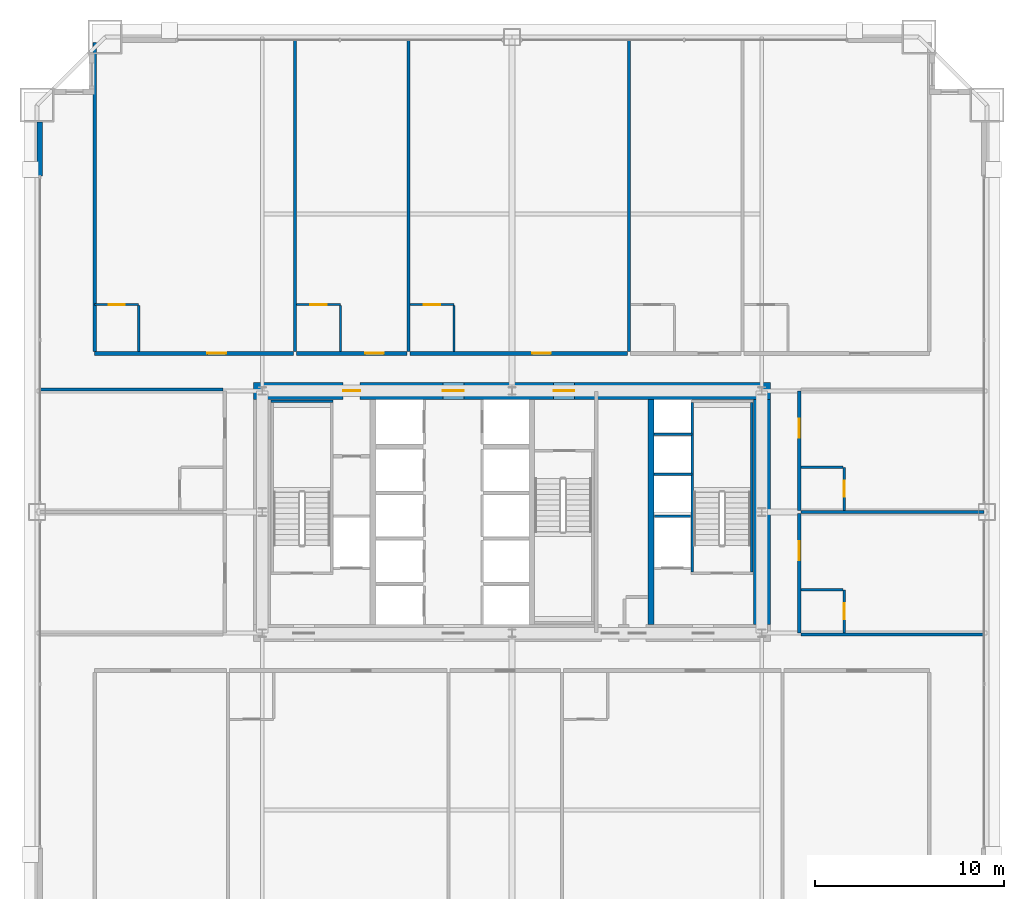
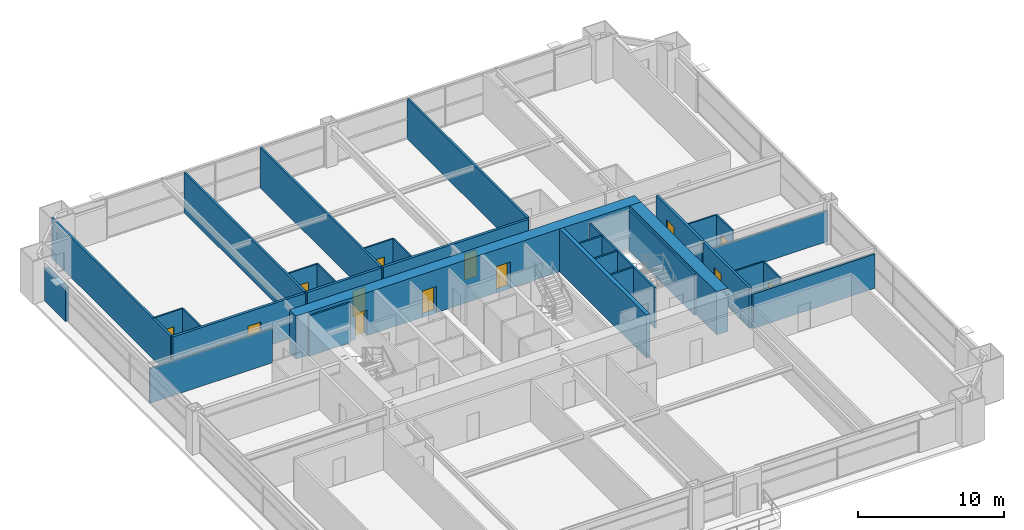
# One storey, part 41 of 43: 32 walls, 13 doors, 13 openings.
"""IFC4 building model written with IfcOpenShell, lengths in metres."""

from ifc_helpers import new_model, si_unit, direction, frame, frame_2d, origin, place, context, subcontext, project, spatial, rectangle, extrude, source, transform, mapped, material, layer, layer_set, type_object, element, fill, save


model = new_model("IFC4")

# Units and contexts
model_context = context("Model", 3, precision=1e-05, world=origin(), true_north=direction((0.0, 1.0)))
body_context = subcontext(model_context, "Body", "Model", "MODEL_VIEW")
ifc_project = project(units=[si_unit("LENGTHUNIT", "METRE"), si_unit("AREAUNIT", "SQUARE_METRE"), si_unit("VOLUMEUNIT", "CUBIC_METRE"), si_unit("PLANEANGLEUNIT", "RADIAN"), si_unit("MASSUNIT", "GRAM", prefix="KILO"), si_unit("THERMODYNAMICTEMPERATUREUNIT", "KELVIN"), si_unit("POWERUNIT", "WATT")], contexts=[model_context])

# Site, building, storey
site_placement = place(None, origin())
site = spatial("IfcSite", under=ifc_project, at=site_placement, CompositionType="ELEMENT")
building_placement = place(site_placement, origin())
building = spatial("IfcBuilding", under=site, at=building_placement, Name="Yuzanri Waterfront Tower", CompositionType="ELEMENT")
storey_placement = place(building_placement, frame((0.0, 0.0, 78.39990234375)))
storey = spatial("IfcBuildingStorey", under=building, at=storey_placement, Name="L20", CompositionType="ELEMENT", Elevation=78.39990234375)

# Wall, opening, door
ifc_material_1 = material(Name="Moisture-Resistant Gypsum Stud Wall", Category="gypsum")
ifc_layer_1 = layer(ifc_material_1, 0.1201171875)
ifc_layer_set_1 = layer_set([ifc_layer_1], Name="Moisture-Resistant Gypsum Stud Wall")
wall_type_1 = type_object("IfcWallType", Name="Bathroom and Kitchen Wet Partition 120", PredefinedType="PARTITIONING", material=ifc_layer_set_1)
wall_1_placement = place(storey_placement, frame((14.93994140625, 36.760009765625, 0.0), z_axis=(0.0, 0.0, 1.0), x_axis=(1.0, 0.0, 0.0)))
wall_1 = element("IfcWall", 1, at=wall_1_placement, inside=storey, type_object=wall_type_1, Name="L20 Partition UW-L20-N1-BN", PredefinedType="PARTITIONING", context=body_context, shape_type="SweptSolid", body=[
    extrude(rectangle(XDim=2.330078125, YDim=0.1201171875, at=frame_2d((1.1650390625, 0.0))), origin(), (0.0, 0.0, 1.0), 3.380126953125),
])
opening_1_placement = place(wall_1_placement, frame((0.739990234375, 0.0, 0.0)))
opening_1 = element("IfcOpeningElement", 2, at=opening_1_placement, cuts=wall_1, Name="Opening ID-0850", PredefinedType="OPENING", context=body_context, shape_type="SweptSolid", body=[
    extrude(rectangle(XDim=0.85009765625, YDim=2.10009765625, at=frame_2d((0.425048828125, 1.050048828125))), frame((0.0, 0.074951171875, 0.0), z_axis=(0.0, -1.0, 0.0), x_axis=(1.0, 0.0, 0.0)), (0.0, 0.0, 1.0), 0.14990234375),
])
ifc_material_2 = material(Name="Moisture-Resistant Lacquered Timber", Category="wood")
door_type_1 = type_object("IfcDoorType", Name="En-Suite Bathroom and Kitchen Swing Door 850x2100", OperationType="NOTDEFINED", PredefinedType="DOOR", material=ifc_material_2)
shared_shape_1 = source(origin(), body_context, "Body", "SweptSolid", [
    extrude(rectangle(XDim=0.85009765625, YDim=2.10009765625, at=frame_2d((0.425048828125, 1.050048828125))), frame((0.0, 0.02490234375, 0.0), z_axis=(0.0, -1.0, 0.0), x_axis=(1.0, 0.0, 0.0)), (0.0, 0.0, 1.0), 0.050048828125),
])
door_1_placement = place(opening_1_placement, origin())
door_1 = element("IfcDoor", 3, at=door_1_placement, inside=storey, type_object=door_type_1, Name="L20 Guest En-Suite Door", OperationType="SINGLE_SWING_RIGHT", OverallHeight=2.10009765625, OverallWidth=0.85009765625, PredefinedType="DOOR", context=body_context, shape_type="MappedRepresentation", body=[
    mapped(shared_shape_1, transform((0.0, 0.0, 0.0), scale=1.0)),
])
fill(opening_1, door_1)

wall_2_placement = place(storey_placement, frame((25.60888671875, 36.760009765625, 0.0), z_axis=(0.0, 0.0, 1.0), x_axis=(1.0, 0.0, 0.0)))
wall_2 = element("IfcWall", 4, at=wall_2_placement, inside=storey, type_object=wall_type_1, Name="L20 Partition UW-L20-N2-BN", PredefinedType="PARTITIONING", context=body_context, shape_type="SweptSolid", body=[
    extrude(rectangle(XDim=2.330078125, YDim=0.1201171875, at=frame_2d((1.1650390625, 0.0))), origin(), (0.0, 0.0, 1.0), 3.380126953125),
])
opening_2_placement = place(wall_2_placement, frame((0.739990234375, 0.0, 0.0)))
opening_2 = element("IfcOpeningElement", 5, at=opening_2_placement, cuts=wall_2, Name="Opening ID-0850", PredefinedType="OPENING", context=body_context, shape_type="SweptSolid", body=[
    extrude(rectangle(XDim=0.85009765625, YDim=2.10009765625, at=frame_2d((0.425048828125, 1.050048828125))), frame((0.0, 0.074951171875, 0.0), z_axis=(0.0, -1.0, 0.0), x_axis=(1.0, 0.0, 0.0)), (0.0, 0.0, 1.0), 0.14990234375),
])
door_2_placement = place(opening_2_placement, origin())
door_2 = element("IfcDoor", 6, at=door_2_placement, inside=storey, type_object=door_type_1, Name="L20 Guest En-Suite Door", OperationType="SINGLE_SWING_RIGHT", OverallHeight=2.10009765625, OverallWidth=0.85009765625, PredefinedType="DOOR", context=body_context, shape_type="MappedRepresentation", body=[
    mapped(shared_shape_1, transform((0.0, 0.0, 0.0), scale=1.0)),
])
fill(opening_2, door_2)

wall_3_placement = place(storey_placement, frame((31.60888671875, 36.760009765625, 0.0), z_axis=(0.0, 0.0, 1.0), x_axis=(1.0, 0.0, 0.0)))
wall_3 = element("IfcWall", 7, at=wall_3_placement, inside=storey, type_object=wall_type_1, Name="L20 Partition UW-L20-N3-BN", PredefinedType="PARTITIONING", context=body_context, shape_type="SweptSolid", body=[
    extrude(rectangle(XDim=2.330078125, YDim=0.1201171875, at=frame_2d((1.1650390625, 0.0))), origin(), (0.0, 0.0, 1.0), 3.380126953125),
])
opening_3_placement = place(wall_3_placement, frame((0.739990234375, 0.0, 0.0)))
opening_3 = element("IfcOpeningElement", 8, at=opening_3_placement, cuts=wall_3, Name="Opening ID-0850", PredefinedType="OPENING", context=body_context, shape_type="SweptSolid", body=[
    extrude(rectangle(XDim=0.85009765625, YDim=2.10009765625, at=frame_2d((0.425048828125, 1.050048828125))), frame((0.0, 0.074951171875, 0.0), z_axis=(0.0, -1.0, 0.0), x_axis=(1.0, 0.0, 0.0)), (0.0, 0.0, 1.0), 0.14990234375),
])
door_3_placement = place(opening_3_placement, origin())
door_3 = element("IfcDoor", 9, at=door_3_placement, inside=storey, type_object=door_type_1, Name="L20 Guest En-Suite Door", OperationType="SINGLE_SWING_RIGHT", OverallHeight=2.10009765625, OverallWidth=0.85009765625, PredefinedType="DOOR", context=body_context, shape_type="MappedRepresentation", body=[
    mapped(shared_shape_1, transform((0.0, 0.0, 0.0), scale=1.0)),
])
fill(opening_3, door_3)

wall_4_placement = place(storey_placement, frame((54.56005859375, 19.409912109375, 0.0), z_axis=(0.0, 0.0, 1.0), x_axis=(0.0, 1.0, 0.0)))
wall_4 = element("IfcWall", 10, at=wall_4_placement, inside=storey, type_object=wall_type_1, Name="L20 Partition UW-L20-E1-BE2", PredefinedType="PARTITIONING", context=body_context, shape_type="SweptSolid", body=[
    extrude(rectangle(XDim=2.280029296875, YDim=0.1201171875, at=frame_2d((1.14013671875, 0.0))), origin(), (0.0, 0.0, 1.0), 3.380126953125),
])
opening_4_placement = place(wall_4_placement, frame((0.715087890625, 0.0, 0.0)))
opening_4 = element("IfcOpeningElement", 11, at=opening_4_placement, cuts=wall_4, Name="Opening ID-0850", PredefinedType="OPENING", context=body_context, shape_type="SweptSolid", body=[
    extrude(rectangle(XDim=0.85009765625, YDim=2.10009765625, at=frame_2d((0.425048828125, 1.050048828125))), frame((0.0, 0.074951171875, 0.0), z_axis=(0.0, -1.0, 0.0), x_axis=(1.0, 0.0, 0.0)), (0.0, 0.0, 1.0), 0.14990234375),
])
door_4_placement = place(opening_4_placement, origin())
door_4 = element("IfcDoor", 12, at=door_4_placement, inside=storey, type_object=door_type_1, Name="L20 Guest En-Suite Door", OperationType="SINGLE_SWING_LEFT", OverallHeight=2.10009765625, OverallWidth=0.85009765625, PredefinedType="DOOR", context=body_context, shape_type="MappedRepresentation", body=[
    mapped(shared_shape_1, transform((0.0, 0.0, 0.0), scale=1.0)),
])
fill(opening_4, door_4)

wall_5_placement = place(storey_placement, frame((54.56005859375, 25.8798828125, 0.0), z_axis=(0.0, 0.0, 1.0), x_axis=(0.0, 1.0, 0.0)))
wall_5 = element("IfcWall", 13, at=wall_5_placement, inside=storey, type_object=wall_type_1, Name="L20 Partition UW-L20-E2-BE2", PredefinedType="PARTITIONING", context=body_context, shape_type="SweptSolid", body=[
    extrude(rectangle(XDim=2.280029296875, YDim=0.1201171875, at=frame_2d((1.14013671875, 0.0))), origin(), (0.0, 0.0, 1.0), 3.380126953125),
])
opening_5_placement = place(wall_5_placement, frame((0.715087890625, 0.0, 0.0)))
opening_5 = element("IfcOpeningElement", 14, at=opening_5_placement, cuts=wall_5, Name="Opening ID-0850", PredefinedType="OPENING", context=body_context, shape_type="SweptSolid", body=[
    extrude(rectangle(XDim=0.85009765625, YDim=2.10009765625, at=frame_2d((0.425048828125, 1.050048828125))), frame((0.0, 0.074951171875, 0.0), z_axis=(0.0, -1.0, 0.0), x_axis=(1.0, 0.0, 0.0)), (0.0, 0.0, 1.0), 0.14990234375),
])
door_5_placement = place(opening_5_placement, origin())
door_5 = element("IfcDoor", 15, at=door_5_placement, inside=storey, type_object=door_type_1, Name="L20 Guest En-Suite Door", OperationType="SINGLE_SWING_LEFT", OverallHeight=2.10009765625, OverallWidth=0.85009765625, PredefinedType="DOOR", context=body_context, shape_type="MappedRepresentation", body=[
    mapped(shared_shape_1, transform((0.0, 0.0, 0.0), scale=1.0)),
])
fill(opening_5, door_5)

# Wall, openings, doors
ifc_material_3 = material(Name="Concrete C60", Category="concrete")
ifc_layer_2 = layer(ifc_material_3, 0.89990234375)
ifc_layer_set_2 = layer_set([ifc_layer_2], Name="Concrete C60")
wall_type_2 = type_object("IfcWallType", Name="Concrete C60 Lower Zone Core Shear Wall 900", PredefinedType="SHEAR", material=ifc_layer_set_2)
wall_6_placement = place(storey_placement, frame((23.35009765625, 32.199951171875, 0.0), z_axis=(0.0, 0.0, 1.0), x_axis=(1.0, 0.0, 0.0)))
wall_6 = element("IfcWall", 16, at=wall_6_placement, inside=storey, type_object=wall_type_2, Name="L20 Core North Shear Wall", PredefinedType="SHEAR", context=body_context, shape_type="SweptSolid", body=[
    extrude(rectangle(XDim=27.2998046875, YDim=0.89990234375, at=frame_2d((13.64990234375, 0.0))), origin(), (0.0, 0.0, 1.0), 3.60009765625),
])
opening_6_placement = place(wall_6_placement, frame((4.719970703125, 0.0, 0.0)))
opening_6 = element("IfcOpeningElement", 17, at=opening_6_placement, cuts=wall_6, Name="Opening FD-0900", PredefinedType="OPENING", context=body_context, shape_type="SweptSolid", body=[
    extrude(rectangle(XDim=0.89990234375, YDim=2.14990234375, at=frame_2d((0.449951171875, 1.074951171875))), frame((0.0, 0.46484375, 0.0), z_axis=(0.0, -1.0, 0.0), x_axis=(1.0, 0.0, 0.0)), (0.0, 0.0, 1.0), 0.9296875),
])
opening_7_placement = place(wall_6_placement, frame((10.0, 0.0, 0.0)))
opening_7 = element("IfcOpeningElement", 18, at=opening_7_placement, cuts=wall_6, Name="Opening FD-1100", PredefinedType="OPENING", context=body_context, shape_type="SweptSolid", body=[
    extrude(rectangle(XDim=1.10009765625, YDim=2.199951171875, at=frame_2d((0.550048828125, 1.10009765625))), frame((0.0, 0.46484375, 0.0), z_axis=(0.0, -1.0, 0.0), x_axis=(1.0, 0.0, 0.0)), (0.0, 0.0, 1.0), 0.9296875),
])
opening_8_placement = place(wall_6_placement, frame((15.85009765625, 0.0, 0.0)))
opening_8 = element("IfcOpeningElement", 19, at=opening_8_placement, cuts=wall_6, Name="Opening FD-1100", PredefinedType="OPENING", context=body_context, shape_type="SweptSolid", body=[
    extrude(rectangle(XDim=1.10009765625, YDim=2.199951171875, at=frame_2d((0.550048828125, 1.10009765625))), frame((0.0, 0.46484375, 0.0), z_axis=(0.0, -1.0, 0.0), x_axis=(1.0, 0.0, 0.0)), (0.0, 0.0, 1.0), 0.9296875),
])
ifc_material_4 = material(Name="Painted Galvanized Fire Steel", Category="steel")
door_type_2 = type_object("IfcDoorType", Name="Smoke-Proof Stair and Lobby Fire Door 1100x2200", OperationType="NOTDEFINED", PredefinedType="DOOR", material=ifc_material_4)
shared_shape_2 = source(origin(), body_context, "Body", "SweptSolid", [
    extrude(rectangle(XDim=1.10009765625, YDim=2.199951171875, at=frame_2d((0.550048828125, 1.10009765625))), frame((0.0, 0.02490234375, 0.0), z_axis=(0.0, -1.0, 0.0), x_axis=(1.0, 0.0, 0.0)), (0.0, 0.0, 1.0), 0.050048828125),
])
door_6_placement = place(opening_7_placement, origin())
door_6 = element("IfcDoor", 20, at=door_6_placement, inside=storey, type_object=door_type_2, Name="L20 Central Lift Lobby North Door", OperationType="SINGLE_SWING_LEFT", OverallHeight=2.199951171875, OverallWidth=1.10009765625, PredefinedType="DOOR", context=body_context, shape_type="MappedRepresentation", body=[
    mapped(shared_shape_2, transform((0.0, 0.0, 0.0), scale=1.0)),
])
fill(opening_7, door_6)
door_7_placement = place(opening_8_placement, origin())
door_7 = element("IfcDoor", 21, at=door_7_placement, inside=storey, type_object=door_type_2, Name="L20 North Stair Lobby Door", OperationType="SINGLE_SWING_RIGHT", OverallHeight=2.199951171875, OverallWidth=1.10009765625, PredefinedType="DOOR", context=body_context, shape_type="MappedRepresentation", body=[
    mapped(shared_shape_2, transform((0.0, 0.0, 0.0), scale=1.0)),
])
fill(opening_8, door_7)
ifc_material_5 = material(Name="Painted Galvanized Fire Steel", Category="steel")
door_type_3 = type_object("IfcDoorType", Name="Riser and Service Room Fire Door 900x2150", OperationType="NOTDEFINED", PredefinedType="DOOR", material=ifc_material_5)
shared_shape_3 = source(origin(), body_context, "Body", "SweptSolid", [
    extrude(rectangle(XDim=0.89990234375, YDim=2.14990234375, at=frame_2d((0.449951171875, 1.074951171875))), frame((0.0, 0.02490234375, 0.0), z_axis=(0.0, -1.0, 0.0), x_axis=(1.0, 0.0, 0.0)), (0.0, 0.0, 1.0), 0.050048828125),
])
door_8_placement = place(opening_6_placement, origin())
door_8 = element("IfcDoor", 22, at=door_8_placement, inside=storey, type_object=door_type_3, Name="L20 Telecom Riser Door", OperationType="SINGLE_SWING_RIGHT", OverallHeight=2.14990234375, OverallWidth=0.89990234375, PredefinedType="DOOR", context=body_context, shape_type="MappedRepresentation", body=[
    mapped(shared_shape_3, transform((0.0, 0.0, 0.0), scale=1.0)),
])
fill(opening_6, door_8)

# Wall, opening, door
ifc_material_6 = material(Name="Autoclaved Aerated Concrete Blockwork", Category="masonry")
ifc_layer_3 = layer(ifc_material_6, 0.199951171875)
ifc_layer_set_3 = layer_set([ifc_layer_3], Name="Autoclaved Aerated Concrete Blockwork")
wall_type_3 = type_object("IfcWallType", Name="Corridor and Unit Party Fire Wall 200", PredefinedType="PARTITIONING", material=ifc_layer_set_3)
wall_7_placement = place(storey_placement, frame((14.93994140625, 34.179931640625, 0.0), z_axis=(0.0, 0.0, 1.0), x_axis=(1.0, 0.0, 0.0)))
wall_7 = element("IfcWall", 23, at=wall_7_placement, inside=storey, type_object=wall_type_3, Name="L20 Partition UW-L20-N1-CS", PredefinedType="PARTITIONING", context=body_context, shape_type="SweptSolid", body=[
    extrude(rectangle(XDim=10.509033203125, YDim=0.199951171875, at=frame_2d((5.25439453125, 0.0))), origin(), (0.0, 0.0, 1.0), 3.380126953125),
])
opening_9_placement = place(wall_7_placement, frame((5.958984375, 0.0, 0.0)))
opening_9 = element("IfcOpeningElement", 24, at=opening_9_placement, cuts=wall_7, Name="Opening FD-1000", PredefinedType="OPENING", context=body_context, shape_type="SweptSolid", body=[
    extrude(rectangle(XDim=1.0, YDim=2.199951171875, at=frame_2d((0.5, 1.10009765625))), frame((0.0, 0.11474609375, 0.0), z_axis=(0.0, -1.0, 0.0), x_axis=(1.0, 0.0, 0.0)), (0.0, 0.0, 1.0), 0.229736328125),
])
ifc_material_7 = material(Name="Engineered Oak Fire-Rated Timber", Category="wood")
door_type_4 = type_object("IfcDoorType", Name="Guestroom and Apartment Entrance Fire Door 1000x2200", OperationType="NOTDEFINED", PredefinedType="DOOR", material=ifc_material_7)
shared_shape_4 = source(origin(), body_context, "Body", "SweptSolid", [
    extrude(rectangle(XDim=1.0, YDim=2.199951171875, at=frame_2d((0.5, 1.10009765625))), frame((0.0, 0.02490234375, 0.0), z_axis=(0.0, -1.0, 0.0), x_axis=(1.0, 0.0, 0.0)), (0.0, 0.0, 1.0), 0.050048828125),
])
door_9_placement = place(opening_9_placement, origin())
door_9 = element("IfcDoor", 25, at=door_9_placement, inside=storey, type_object=door_type_4, Name="L20 Deluxe Junior Suite Entrance Door", OperationType="SINGLE_SWING_LEFT", OverallHeight=2.199951171875, OverallWidth=1.0, PredefinedType="DOOR", context=body_context, shape_type="MappedRepresentation", body=[
    mapped(shared_shape_4, transform((0.0, 0.0, 0.0), scale=1.0)),
])
fill(opening_9, door_9)

wall_8_placement = place(storey_placement, frame((25.60888671875, 34.179931640625, 0.0), z_axis=(0.0, 0.0, 1.0), x_axis=(1.0, 0.0, 0.0)))
wall_8 = element("IfcWall", 26, at=wall_8_placement, inside=storey, type_object=wall_type_3, Name="L20 Partition UW-L20-N2-CS", PredefinedType="PARTITIONING", context=body_context, shape_type="SweptSolid", body=[
    extrude(rectangle(XDim=5.840087890625, YDim=0.199951171875, at=frame_2d((2.919921875, 0.0))), origin(), (0.0, 0.0, 1.0), 3.380126953125),
])
opening_10_placement = place(wall_8_placement, frame((3.625, 0.0, 0.0)))
opening_10 = element("IfcOpeningElement", 27, at=opening_10_placement, cuts=wall_8, Name="Opening FD-1000", PredefinedType="OPENING", context=body_context, shape_type="SweptSolid", body=[
    extrude(rectangle(XDim=1.0, YDim=2.199951171875, at=frame_2d((0.5, 1.10009765625))), frame((0.0, 0.11474609375, 0.0), z_axis=(0.0, -1.0, 0.0), x_axis=(1.0, 0.0, 0.0)), (0.0, 0.0, 1.0), 0.229736328125),
])
door_10_placement = place(opening_10_placement, origin())
door_10 = element("IfcDoor", 28, at=door_10_placement, inside=storey, type_object=door_type_4, Name="L20 Deluxe Junior Suite Entrance Door", OperationType="SINGLE_SWING_LEFT", OverallHeight=2.199951171875, OverallWidth=1.0, PredefinedType="DOOR", context=body_context, shape_type="MappedRepresentation", body=[
    mapped(shared_shape_4, transform((0.0, 0.0, 0.0), scale=1.0)),
])
fill(opening_10, door_10)

wall_9_placement = place(storey_placement, frame((31.60888671875, 34.179931640625, 0.0), z_axis=(0.0, 0.0, 1.0), x_axis=(1.0, 0.0, 0.0)))
wall_9 = element("IfcWall", 29, at=wall_9_placement, inside=storey, type_object=wall_type_3, Name="L20 Partition UW-L20-N3-CS", PredefinedType="PARTITIONING", context=body_context, shape_type="SweptSolid", body=[
    extrude(rectangle(XDim=11.488037109375, YDim=0.199951171875, at=frame_2d((5.744140625, 0.0))), origin(), (0.0, 0.0, 1.0), 3.380126953125),
])
opening_11_placement = place(wall_9_placement, frame((6.448974609375, 0.0, 0.0)))
opening_11 = element("IfcOpeningElement", 30, at=opening_11_placement, cuts=wall_9, Name="Opening FD-1000", PredefinedType="OPENING", context=body_context, shape_type="SweptSolid", body=[
    extrude(rectangle(XDim=1.0, YDim=2.199951171875, at=frame_2d((0.5, 1.10009765625))), frame((0.0, 0.11474609375, 0.0), z_axis=(0.0, -1.0, 0.0), x_axis=(1.0, 0.0, 0.0)), (0.0, 0.0, 1.0), 0.229736328125),
])
door_11_placement = place(opening_11_placement, origin())
door_11 = element("IfcDoor", 31, at=door_11_placement, inside=storey, type_object=door_type_4, Name="L20 Deluxe Junior Suite Entrance Door", OperationType="SINGLE_SWING_LEFT", OverallHeight=2.199951171875, OverallWidth=1.0, PredefinedType="DOOR", context=body_context, shape_type="MappedRepresentation", body=[
    mapped(shared_shape_4, transform((0.0, 0.0, 0.0), scale=1.0)),
])
fill(opening_11, door_11)

wall_10_placement = place(storey_placement, frame((52.179931640625, 19.409912109375, 0.0), z_axis=(0.0, 0.0, 1.0), x_axis=(0.0, 1.0, 0.0)))
wall_10 = element("IfcWall", 32, at=wall_10_placement, inside=storey, type_object=wall_type_3, Name="L20 Partition UW-L20-E1-CW", PredefinedType="PARTITIONING", context=body_context, shape_type="SweptSolid", body=[
    extrude(rectangle(XDim=6.31005859375, YDim=0.199951171875, at=frame_2d((3.155029296875, 0.0))), origin(), (0.0, 0.0, 1.0), 3.380126953125),
])
opening_12_placement = place(wall_10_placement, frame((3.8349609375, 0.0, 0.0)))
opening_12 = element("IfcOpeningElement", 33, at=opening_12_placement, cuts=wall_10, Name="Opening FD-1000", PredefinedType="OPENING", context=body_context, shape_type="SweptSolid", body=[
    extrude(rectangle(XDim=1.0, YDim=2.199951171875, at=frame_2d((0.5, 1.10009765625))), frame((0.0, 0.11474609375, 0.0), z_axis=(0.0, -1.0, 0.0), x_axis=(1.0, 0.0, 0.0)), (0.0, 0.0, 1.0), 0.229736328125),
])
door_12_placement = place(opening_12_placement, origin())
door_12 = element("IfcDoor", 34, at=door_12_placement, inside=storey, type_object=door_type_4, Name="L20 East Guest Room Entrance Door", OperationType="SINGLE_SWING_RIGHT", OverallHeight=2.199951171875, OverallWidth=1.0, PredefinedType="DOOR", context=body_context, shape_type="MappedRepresentation", body=[
    mapped(shared_shape_4, transform((0.0, 0.0, 0.0), scale=1.0)),
])
fill(opening_12, door_12)

wall_11_placement = place(storey_placement, frame((52.179931640625, 25.8798828125, 0.0), z_axis=(0.0, 0.0, 1.0), x_axis=(0.0, 1.0, 0.0)))
wall_11 = element("IfcWall", 35, at=wall_11_placement, inside=storey, type_object=wall_type_3, Name="L20 Partition UW-L20-E2-CW", PredefinedType="PARTITIONING", context=body_context, shape_type="SweptSolid", body=[
    extrude(rectangle(XDim=6.31005859375, YDim=0.199951171875, at=frame_2d((3.155029296875, 0.0))), origin(), (0.0, 0.0, 1.0), 3.380126953125),
])
opening_13_placement = place(wall_11_placement, frame((3.8349609375, 0.0, 0.0)))
opening_13 = element("IfcOpeningElement", 36, at=opening_13_placement, cuts=wall_11, Name="Opening FD-1000", PredefinedType="OPENING", context=body_context, shape_type="SweptSolid", body=[
    extrude(rectangle(XDim=1.0, YDim=2.199951171875, at=frame_2d((0.5, 1.10009765625))), frame((0.0, 0.11474609375, 0.0), z_axis=(0.0, -1.0, 0.0), x_axis=(1.0, 0.0, 0.0)), (0.0, 0.0, 1.0), 0.229736328125),
])
door_13_placement = place(opening_13_placement, origin())
door_13 = element("IfcDoor", 37, at=door_13_placement, inside=storey, type_object=door_type_4, Name="L20 East Guest Room Entrance Door", OperationType="SINGLE_SWING_RIGHT", OverallHeight=2.199951171875, OverallWidth=1.0, PredefinedType="DOOR", context=body_context, shape_type="MappedRepresentation", body=[
    mapped(shared_shape_4, transform((0.0, 0.0, 0.0), scale=1.0)),
])
fill(opening_13, door_13)

# Walls
shared_shape_5 = source(origin(), body_context, "Body", "SweptSolid", [
    extrude(rectangle(XDim=11.89990234375, YDim=0.89990234375, at=frame_2d((5.949951171875, 0.0))), origin(), (0.0, 0.0, 1.0), 3.60009765625),
])
wall_12_placement = place(storey_placement, frame((50.199951171875, 19.85009765625, 0.0), z_axis=(0.0, 0.0, 1.0), x_axis=(0.0, 1.0, 0.0)))
element("IfcWall", 38, at=wall_12_placement, inside=storey, type_object=wall_type_2, Name="L20 Core East Shear Wall", PredefinedType="SHEAR", context=body_context, shape_type="MappedRepresentation", body=[
    mapped(shared_shape_5, transform((0.0, 0.0, 0.0), scale=1.0)),
])
ifc_material_8 = material(Name="Concrete C50", Category="concrete")
ifc_layer_4 = layer(ifc_material_8, 0.300048828125)
ifc_layer_set_4 = layer_set([ifc_layer_4], Name="Concrete C50")
wall_type_4 = type_object("IfcWallType", Name="Concrete C50 Internal Core Shaft Structural Wall 300", PredefinedType="SOLIDWALL", material=ifc_layer_set_4)
shared_shape_6 = source(origin(), body_context, "Body", "SweptSolid", [
    extrude(rectangle(XDim=11.89990234375, YDim=0.300048828125, at=frame_2d((5.949951171875, 0.0))), origin(), (0.0, 0.0, 1.0), 3.60009765625),
])
wall_13_placement = place(storey_placement, frame((44.35009765625, 19.85009765625, 0.0), z_axis=(0.0, 0.0, 1.0), x_axis=(0.0, 1.0, 0.0)))
element("IfcWall", 39, at=wall_13_placement, inside=storey, type_object=wall_type_4, Name="L20 Core Internal Structural Web Wall 3", PredefinedType="SOLIDWALL", context=body_context, shape_type="MappedRepresentation", body=[
    mapped(shared_shape_6, transform((0.0, 0.0, 0.0), scale=1.0)),
])
ifc_material_9 = material(Name="Honed Chongqing Dark Basalt Stone", Category="masonry")
ifc_layer_5 = layer(ifc_material_9, 0.300048828125)
ifc_layer_set_5 = layer_set([ifc_layer_5], Name="Honed Chongqing Dark Basalt Stone")
wall_type_5 = type_object("IfcWallType", Name="Bronze Rainscreen Insulated Spandrel Portal Wall 300", PredefinedType="SOLIDWALL", material=ifc_layer_set_5)
shared_shape_7 = source(origin(), body_context, "Body", "SweptSolid", [
    extrude(rectangle(XDim=2.849853515625, YDim=0.300048828125, at=frame_2d((1.4248046875, 0.0))), origin(), (0.0, 0.0, 1.0), 2.775146484375),
])
wall_14_placement = place(storey_placement, frame((12.050048828125, 43.550048828125, 0.0), z_axis=(0.0, 0.0, 1.0), x_axis=(0.0, 1.0, 0.0)))
element("IfcWall", 40, at=wall_14_placement, inside=storey, type_object=wall_type_5, Name="L20 W Right Braced Masonry Shoulder", PredefinedType="SOLIDWALL", context=body_context, shape_type="MappedRepresentation", body=[
    mapped(shared_shape_7, transform((0.0, 0.0, 0.0), scale=1.0)),
])
ifc_material_10 = material(Name="Concrete C40", Category="concrete")
ifc_layer_6 = layer(ifc_material_10, 0.139892578125)
ifc_layer_set_6 = layer_set([ifc_layer_6], Name="Concrete C40")
wall_type_6 = type_object("IfcWallType", Name="Core Stair Liner and Hoistway Shaft Wall 140", PredefinedType="SOLIDWALL", material=ifc_layer_set_6)
shared_shape_8 = source(origin(), body_context, "Body", "SweptSolid", [
    extrude(rectangle(XDim=1.919921875, YDim=0.139892578125, at=frame_2d((0.9599609375, 0.0))), origin(), (0.0, 0.0, 1.0), 3.380126953125),
])
wall_15_placement = place(storey_placement, frame((44.52001953125, 25.570068359375, 0.0), z_axis=(0.0, 0.0, 1.0), x_axis=(1.0, 0.0, 0.0)))
element("IfcWall", 41, at=wall_15_placement, inside=storey, type_object=wall_type_6, Name="L20 Lift FL-02 Back Shaft Wall", PredefinedType="SOLIDWALL", context=body_context, shape_type="MappedRepresentation", body=[
    mapped(shared_shape_8, transform((0.0, 0.0, 0.0), scale=1.0)),
])
shared_shape_9 = source(origin(), body_context, "Body", "SweptSolid", [
    extrude(rectangle(XDim=2.0, YDim=0.139892578125, at=frame_2d((1.0, 0.0))), origin(), (0.0, 0.0, 1.0), 3.380126953125),
])
for number, where, z_axis, x_axis, name in (
    (42, (44.5, 27.800048828125, 0.0), (0.0, 0.0, 1.0), (1.0, 0.0, 0.0), "L20 Lift PL-09 Divider Wall"),
    (43, (44.5, 29.89990234375, 0.0), (0.0, 0.0, 1.0), (1.0, 0.0, 0.0), "L20 Lift PL-10 Divider Wall"),
):
    element("IfcWall", number, at=place(storey_placement, frame(where, z_axis=z_axis, x_axis=x_axis)), inside=storey, type_object=wall_type_6, Name=name, PredefinedType="SOLIDWALL", context=body_context, shape_type="MappedRepresentation", body=[
        mapped(shared_shape_9, transform((0.0, 0.0, 0.0), scale=1.0)),
    ])
ifc_material_11 = material(Name="Gypsum Fireboard Acoustic Stud Wall", Category="gypsum")
ifc_layer_7 = layer(ifc_material_11, 0.159912109375)
ifc_layer_set_7 = layer_set([ifc_layer_7], Name="Gypsum Fireboard Acoustic Stud Wall")
wall_type_7 = type_object("IfcWallType", Name="Acoustic Suite Demising Partition 160", PredefinedType="PARTITIONING", material=ifc_layer_set_7)
shared_shape_10 = source(origin(), body_context, "Body", "SweptSolid", [
    extrude(rectangle(XDim=9.669921875, YDim=0.159912109375, at=frame_2d((4.8349609375, 0.0))), origin(), (0.0, 0.0, 1.0), 2.875),
])
for number, where, z_axis, x_axis, name in (
    (44, (12.050048828125, 32.27001953125, 0.0), (0.0, 0.0, 1.0), (1.0, 0.0, 0.0), "L20-W2 Wing North End Wall"),
    (45, (52.280029296875, 19.330078125, 0.0), (0.0, 0.0, 1.0), (1.0, 0.0, 0.0), "L20-E1 Wing South End Wall"),
):
    element("IfcWall", number, at=place(storey_placement, frame(where, z_axis=z_axis, x_axis=x_axis)), inside=storey, type_object=wall_type_7, Name=name, PredefinedType="PARTITIONING", context=body_context, shape_type="MappedRepresentation", body=[
        mapped(shared_shape_10, transform((0.0, 0.0, 0.0), scale=1.0)),
    ])
shared_shape_11 = source(origin(), body_context, "Body", "SweptSolid", [
    extrude(rectangle(XDim=3.280029296875, YDim=0.139892578125, at=frame_2d((1.64013671875, 0.0))), origin(), (0.0, 0.0, 1.0), 3.380126953125),
])
wall_16_placement = place(storey_placement, frame((24.260009765625, 31.64990234375, 0.0), z_axis=(0.0, 0.0, 1.0), x_axis=(1.0, 0.0, 0.0)))
element("IfcWall", 46, at=wall_16_placement, inside=storey, type_object=wall_type_6, Name="L20 Stair ST-01 North Shaft Wall", PredefinedType="SOLIDWALL", context=body_context, shape_type="MappedRepresentation", body=[
    mapped(shared_shape_11, transform((0.0, 0.0, 0.0), scale=1.0)),
])
shared_shape_12 = source(origin(), body_context, "Body", "SweptSolid", [
    extrude(rectangle(XDim=8.940185546875, YDim=0.139892578125, at=frame_2d((4.47021484375, 0.0))), origin(), (0.0, 0.0, 1.0), 3.380126953125),
])
for number, where, z_axis, x_axis, name in (
    (47, (46.530029296875, 22.639892578125, 0.0), (0.0, 0.0, 1.0), (0.0, 1.0, 0.0), "L20 Stair ST-02 West Shaft Wall"),
    (48, (49.669921875, 22.639892578125, 0.0), (0.0, 0.0, 1.0), (0.0, 1.0, 0.0), "L20 Stair ST-02 East Shaft Wall"),
):
    element("IfcWall", number, at=place(storey_placement, frame(where, z_axis=z_axis, x_axis=x_axis)), inside=storey, type_object=wall_type_6, Name=name, PredefinedType="SOLIDWALL", context=body_context, shape_type="MappedRepresentation", body=[
        mapped(shared_shape_12, transform((0.0, 0.0, 0.0), scale=1.0)),
    ])
shared_shape_13 = source(origin(), body_context, "Body", "SweptSolid", [
    extrude(rectangle(XDim=16.469970703125, YDim=0.159912109375, at=frame_2d((8.23486328125, 0.0))), origin(), (0.0, 0.0, 1.0), 3.380126953125),
])
for number, where, z_axis, x_axis, name in (
    (49, (25.529052734375, 34.280029296875, 0.0), (0.0, 0.0, 1.0), (0.0, 1.0, 0.0), "L20-N1 Party Wall"),
    (50, (31.529052734375, 34.280029296875, 0.0), (0.0, 0.0, 1.0), (0.0, 1.0, 0.0), "L20-N2 Party Wall"),
    (51, (43.177001953125, 34.280029296875, 0.0), (0.0, 0.0, 1.0), (0.0, 1.0, 0.0), "L20-N3 Party Wall"),
):
    element("IfcWall", number, at=place(storey_placement, frame(where, z_axis=z_axis, x_axis=x_axis)), inside=storey, type_object=wall_type_7, Name=name, PredefinedType="PARTITIONING", context=body_context, shape_type="MappedRepresentation", body=[
        mapped(shared_shape_13, transform((0.0, 0.0, 0.0), scale=1.0)),
    ])
shared_shape_14 = source(origin(), body_context, "Body", "SweptSolid", [
    extrude(rectangle(XDim=16.320068359375, YDim=0.159912109375, at=frame_2d((8.16015625, 0.0))), origin(), (0.0, 0.0, 1.0), 3.380126953125),
])
wall_17_placement = place(storey_placement, frame((14.949951171875, 34.280029296875, 0.0), z_axis=(0.0, 0.0, 1.0), x_axis=(0.0, 1.0, 0.0)))
element("IfcWall", 52, at=wall_17_placement, inside=storey, type_object=wall_type_7, Name="L20 North Band West End Wall", PredefinedType="PARTITIONING", context=body_context, shape_type="MappedRepresentation", body=[
    mapped(shared_shape_14, transform((0.0, 0.0, 0.0), scale=1.0)),
])
shared_shape_15 = source(origin(), body_context, "Body", "SweptSolid", [
    extrude(rectangle(XDim=2.419921875, YDim=0.1201171875, at=frame_2d((1.2099609375, 0.0))), origin(), (0.0, 0.0, 1.0), 3.380126953125),
])
for number, where, z_axis, x_axis, name in (
    (53, (17.27001953125, 34.280029296875, 0.0), (0.0, 0.0, 1.0), (0.0, 1.0, 0.0), "L20-N1 En-Suite Side Wall"),
    (54, (27.93896484375, 34.280029296875, 0.0), (0.0, 0.0, 1.0), (0.0, 1.0, 0.0), "L20-N2 En-Suite Side Wall"),
    (55, (33.93896484375, 34.280029296875, 0.0), (0.0, 0.0, 1.0), (0.0, 1.0, 0.0), "L20-N3 En-Suite Side Wall"),
):
    element("IfcWall", number, at=place(storey_placement, frame(where, z_axis=z_axis, x_axis=x_axis)), inside=storey, type_object=wall_type_1, Name=name, PredefinedType="PARTITIONING", context=body_context, shape_type="MappedRepresentation", body=[
        mapped(shared_shape_15, transform((0.0, 0.0, 0.0), scale=1.0)),
    ])
shared_shape_16 = source(origin(), body_context, "Body", "SweptSolid", [
    extrude(rectangle(XDim=2.219970703125, YDim=0.1201171875, at=frame_2d((1.10986328125, 0.0))), origin(), (0.0, 0.0, 1.0), 3.380126953125),
])
for number, where, z_axis, x_axis, name in (
    (56, (52.280029296875, 21.68994140625, 0.0), (0.0, 0.0, 1.0), (1.0, 0.0, 0.0), "L20-E1 En-Suite Top Wall"),
    (57, (52.280029296875, 28.159912109375, 0.0), (0.0, 0.0, 1.0), (1.0, 0.0, 0.0), "L20-E2 En-Suite Top Wall"),
):
    element("IfcWall", number, at=place(storey_placement, frame(where, z_axis=z_axis, x_axis=x_axis)), inside=storey, type_object=wall_type_1, Name=name, PredefinedType="PARTITIONING", context=body_context, shape_type="MappedRepresentation", body=[
        mapped(shared_shape_16, transform((0.0, 0.0, 0.0), scale=1.0)),
    ])
shared_shape_17 = source(origin(), body_context, "Body", "SweptSolid", [
    extrude(rectangle(XDim=9.669921875, YDim=0.159912109375, at=frame_2d((4.8349609375, 0.0))), origin(), (0.0, 0.0, 1.0), 2.5751953125),
])
wall_18_placement = place(storey_placement, frame((52.280029296875, 25.800048828125, 0.0), z_axis=(0.0, 0.0, 1.0), x_axis=(1.0, 0.0, 0.0)))
element("IfcWall", 58, at=wall_18_placement, inside=storey, type_object=wall_type_7, Name="L20-E1 Wing Party Wall", PredefinedType="PARTITIONING", context=body_context, shape_type="MappedRepresentation", body=[
    mapped(shared_shape_17, transform((0.0, 0.0, 0.0), scale=1.0)),
])

save(model, "model.ifc")
